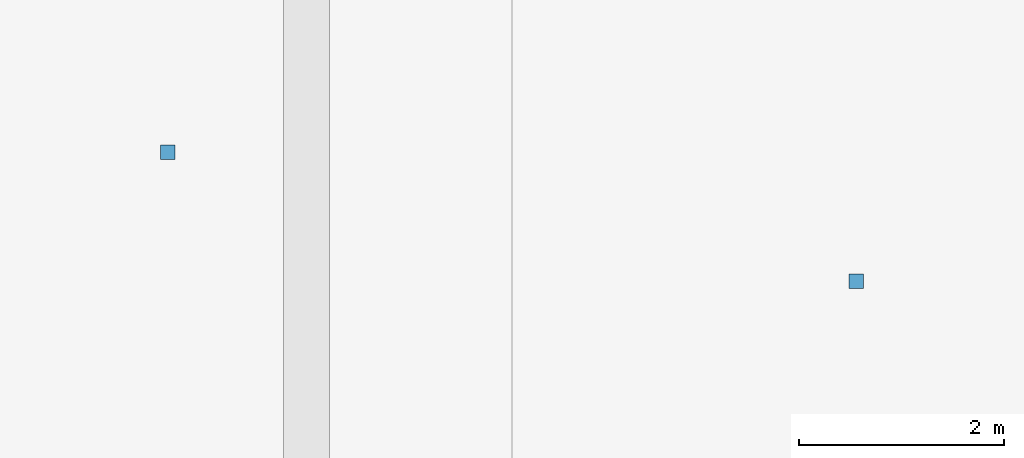
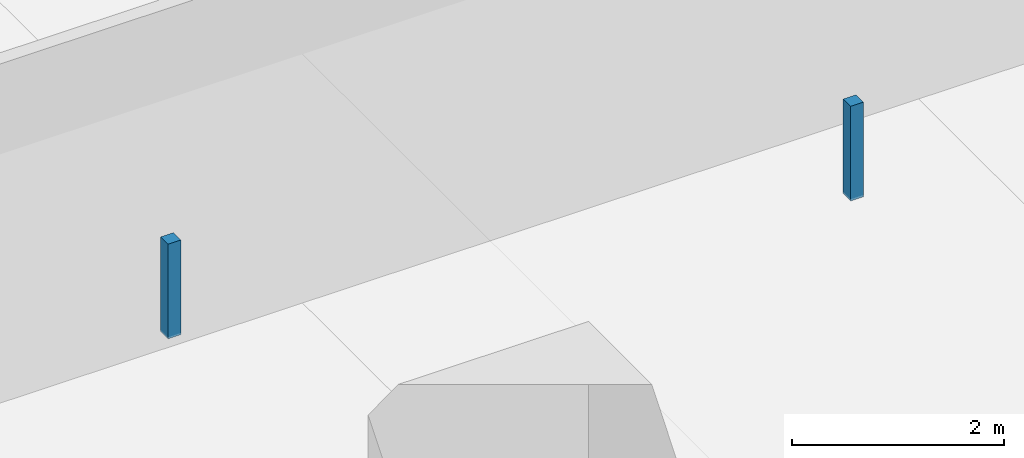
# One storey, part 32 of 44: 2 discrete accessories.
"""IFC4 building model written with IfcOpenShell, lengths in metres."""

from ifc_helpers import new_model, si_unit, direction, frame, origin, origin_2d, place, context, subcontext, project, spatial, rectangle, extrude, material, type_object, element, save


model = new_model("IFC4")

# Units and contexts
model_context = context("Model", 3, precision=1e-05, world=origin(), true_north=direction((0.0, 1.0)))
body_context = subcontext(model_context, "Body", "Model", "MODEL_VIEW")
ifc_project = project(units=[si_unit("LENGTHUNIT", "METRE"), si_unit("AREAUNIT", "SQUARE_METRE"), si_unit("VOLUMEUNIT", "CUBIC_METRE"), si_unit("PLANEANGLEUNIT", "RADIAN"), si_unit("MASSUNIT", "GRAM", prefix="KILO")], contexts=[model_context])

# Site, building, storey
site_placement = place(None, origin())
site = spatial("IfcSite", under=ifc_project, at=site_placement, CompositionType="ELEMENT")
building_placement = place(site_placement, origin())
building = spatial("IfcBuilding", under=site, at=building_placement, Name="Qorvath Tower", CompositionType="ELEMENT")
storey_placement = place(building_placement, frame((0.0, 0.0, 40.800048828125)))
storey = spatial("IfcBuildingStorey", under=building, at=storey_placement, Name="L08", CompositionType="ELEMENT", Elevation=40.800048828125)

# Discrete accessories
ifc_material = material(Name="Galvanised steel bracket", Category="steel")
discrete_accessory_type = type_object("IfcDiscreteAccessoryType", Name="DA-BRACKET", PredefinedType="BRACKET", material=ifc_material)
for number, where, z_axis, x_axis, name in (
    (1, (-9.781982421875, -2.614990234375, 2.85986328125), (0.0, 0.0, 1.0), (1.0, 0.0, 0.0), "Acoustic Ceiling Suspension Hanger T1-L08-022"),
    (2, (-3.071533203125, -3.8701171875, 2.85986328125), (0.0, 0.0, 1.0), (1.0, 0.0, 0.0), "Acoustic Ceiling Suspension Hanger T1-L08-023"),
):
    element("IfcDiscreteAccessory", number, at=place(storey_placement, frame(where, z_axis=z_axis, x_axis=x_axis)), inside=storey, type_object=discrete_accessory_type, Name=name, PredefinedType="NOTDEFINED", context=body_context, shape_type="SweptSolid", body=[
        extrude(rectangle(XDim=0.139892578125, YDim=0.139892578125, at=origin_2d()), origin(), (0.0, 0.0, 1.0), 1.090087890625),
    ])

save(model, "model.ifc")
